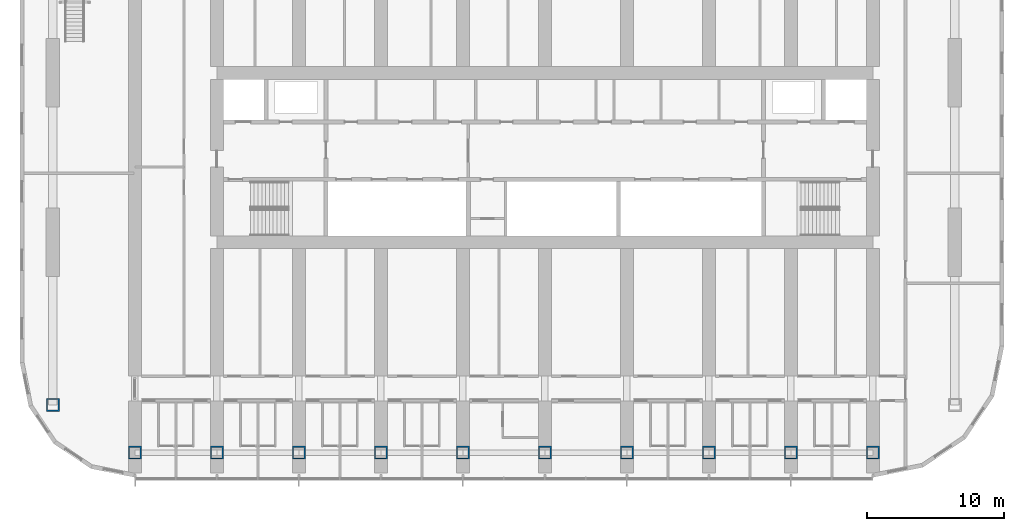
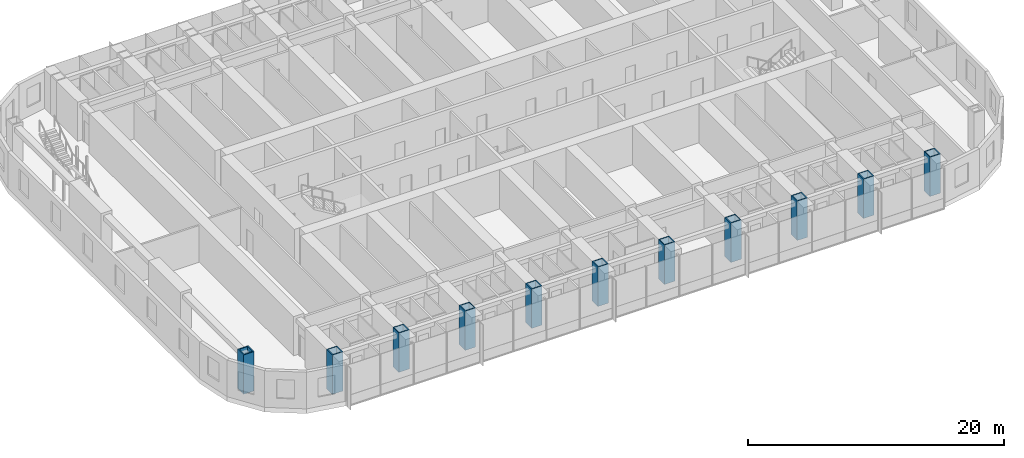
# One storey, part 1 of 26: 11 columns.
"""IFC4 building model written with IfcOpenShell, lengths in metres."""

from ifc_helpers import new_model, si_unit, direction, frame, origin, origin_2d, place, context, subcontext, project, spatial, hollow_rectangle, extrude, material, material_profile, profile_set, type_object, element, save


model = new_model("IFC4")

# Units and contexts
model_context = context("Model", 3, precision=1e-05, world=origin(), true_north=direction((0.0, 1.0)))
body_context = subcontext(model_context, "Body", "Model", "MODEL_VIEW")
ifc_project = project(units=[si_unit("LENGTHUNIT", "METRE"), si_unit("AREAUNIT", "SQUARE_METRE"), si_unit("VOLUMEUNIT", "CUBIC_METRE"), si_unit("PLANEANGLEUNIT", "RADIAN"), si_unit("MASSUNIT", "GRAM", prefix="KILO")], contexts=[model_context])

# Site, building, storey
site_placement = place(None, origin())
site = spatial("IfcSite", under=ifc_project, at=site_placement, CompositionType="ELEMENT")
building_placement = place(site_placement, origin())
building = spatial("IfcBuilding", under=site, at=building_placement, Name="Orbita Commons", CompositionType="ELEMENT")
storey_placement = place(building_placement, frame((0.0, 0.0, 114.39990234375)))
storey = spatial("IfcBuildingStorey", under=building, at=storey_placement, Name="L28", CompositionType="ELEMENT", Elevation=114.39990234375)

# Columns
ifc_material = material(Name="Steel ASTM A572 Gr 50 welded plate", Category="steel")
ifc_material_profile = material_profile(ifc_material, hollow_rectangle(XDim=0.949951171875, YDim=0.949951171875, WallThickness=0.094970703125, at=origin_2d()), Name="BOX 950x950x95")
ifc_profile_set = profile_set([ifc_material_profile], Name="Steel ASTM A572 Gr 50 welded plate")
column_type = type_object("IfcColumnType", Name="Steel column BOX 950x950x95", PredefinedType="COLUMN", material=ifc_profile_set)
for number, where, z_axis, x_axis, name in (
    (1, (12.0, 10.39990234375, 0.0), (0.0, 0.0, 1.0), (1.0, 0.0, 0.0), "Column 3/B L28"),
    (2, (18.0, 10.39990234375, 0.0), (0.0, 0.0, 1.0), (1.0, 0.0, 0.0), "Column 4/B L28"),
    (3, (24.0, 10.39990234375, 0.0), (0.0, 0.0, 1.0), (1.0, 0.0, 0.0), "Column 5/B L28"),
    (4, (30.0, 10.39990234375, 0.0), (0.0, 0.0, 1.0), (1.0, 0.0, 0.0), "Column 6/B L28"),
    (5, (36.0, 10.39990234375, 0.0), (0.0, 0.0, 1.0), (1.0, 0.0, 0.0), "Column 7/B L28"),
    (6, (42.0, 10.39990234375, 0.0), (0.0, 0.0, 1.0), (1.0, 0.0, 0.0), "Column 8/B L28"),
    (7, (48.0, 10.39990234375, 0.0), (0.0, 0.0, 1.0), (1.0, 0.0, 0.0), "Column 9/B L28"),
    (8, (54.0, 10.39990234375, 0.0), (0.0, 0.0, 1.0), (1.0, 0.0, 0.0), "Column 10/B L28"),
    (9, (60.0, 10.39990234375, 0.0), (0.0, 0.0, 1.0), (1.0, 0.0, 0.0), "Column 11/B L28"),
    (10, (66.0, 10.39990234375, 0.0), (0.0, 0.0, 1.0), (1.0, 0.0, 0.0), "Column 12/B L28"),
    (11, (6.0, 13.89990234375, 0.0), (0.0, 0.0, 1.0), (1.0, 0.0, 0.0), "Column 2/13.9 L28"),
):
    element("IfcColumn", number, at=place(storey_placement, frame(where, z_axis=z_axis, x_axis=x_axis)), inside=storey, type_object=column_type, Name=name, PredefinedType="COLUMN", context=body_context, shape_type="SweptSolid", body=[
        extrude(hollow_rectangle(XDim=0.949951171875, YDim=0.949951171875, WallThickness=0.094970703125, at=origin_2d()), origin(), (0.0, 0.0, 1.0), 3.75),
    ])

save(model, "model.ifc")
